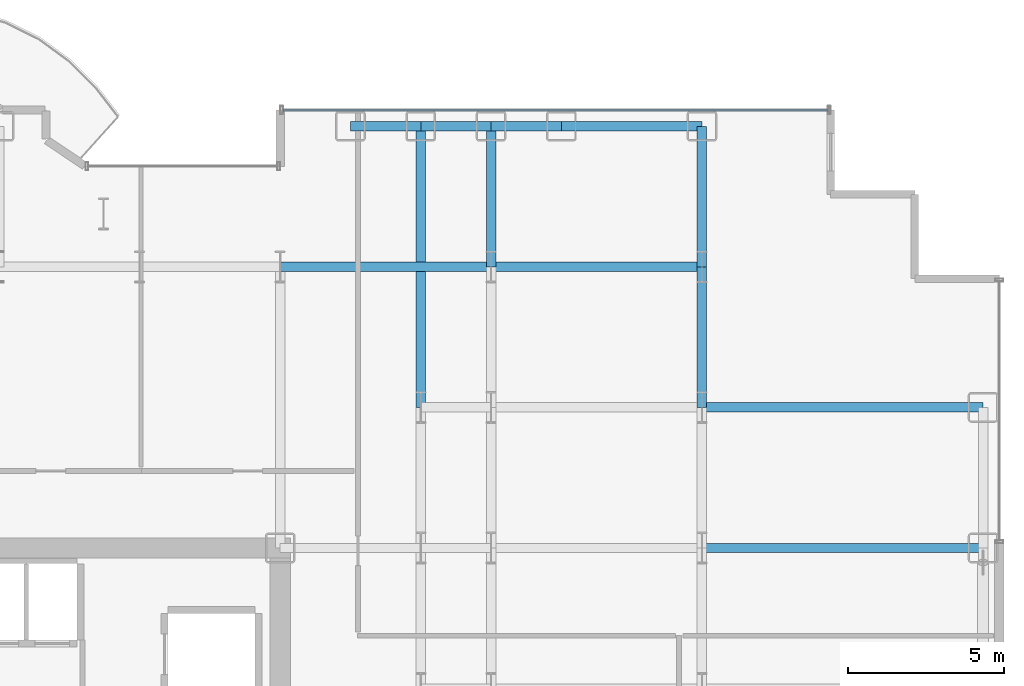
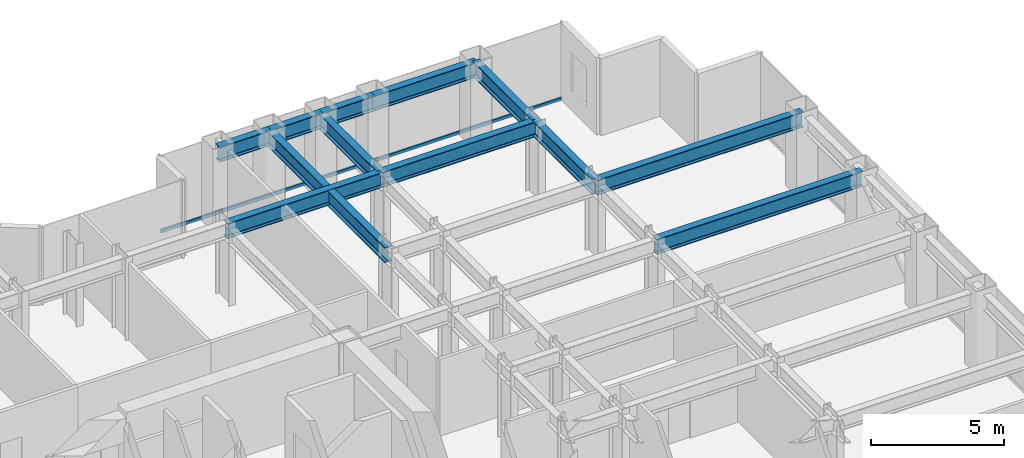
# One storey, part 16 of 29: 12 beams, 1 member, 1 element without a shape of its own.
"""IFC4 building model written with IfcOpenShell, lengths in metres."""

from ifc_helpers import new_model, si_unit, direction, frame, origin, origin_2d, place, context, subcontext, project, spatial, hollow_rectangle, i_section, extrude, source, transform, mapped, material, layer, layer_set, material_profile, profile_set, type_object, element, aggregate, save


model = new_model("IFC4")

# Units and contexts
model_context = context("Model", 3, precision=1e-05, world=origin(), true_north=direction((0.0, 1.0)))
body_context = subcontext(model_context, "Body", "Model", "MODEL_VIEW")
ifc_project = project(units=[si_unit("LENGTHUNIT", "METRE"), si_unit("AREAUNIT", "SQUARE_METRE"), si_unit("VOLUMEUNIT", "CUBIC_METRE"), si_unit("PLANEANGLEUNIT", "RADIAN"), si_unit("MASSUNIT", "GRAM", prefix="KILO")], contexts=[model_context])

# Site, building, storey
site_placement = place(None, origin())
site = spatial("IfcSite", under=ifc_project, at=site_placement, CompositionType="ELEMENT")
building_placement = place(site_placement, origin())
building = spatial("IfcBuilding", under=site, at=building_placement, Name="Nefas-Gora Pilgrimage Tower", CompositionType="ELEMENT")
storey_placement = place(building_placement, frame((0.0, 0.0, 44.39990234375)))
storey = spatial("IfcBuildingStorey", under=building, at=storey_placement, Name="L09", CompositionType="ELEMENT", Elevation=44.39990234375)

# Beams
ifc_material_1 = material(Name="Steel S355", Category="steel")
ifc_material_profile_1 = material_profile(ifc_material_1, i_section(OverallWidth=0.300048828125, OverallDepth=0.699951171875, WebThickness=0.01708984375, FlangeThickness=0.031982421875, FilletRadius=0.027099609375, at=origin_2d()), Name="HEB 700")
ifc_profile_set_1 = profile_set([ifc_material_profile_1], Name="Steel S355")
beam_type_1 = type_object("IfcBeamType", Name="BM-SPN-HEB600", PredefinedType="SPANDREL", material=ifc_profile_set_1)
shared_shape_1 = source(origin(), body_context, "Body", "SweptSolid", [
    extrude(i_section(OverallWidth=0.300048828125, OverallDepth=0.699951171875, WebThickness=0.01708984375, FlangeThickness=0.031982421875, FilletRadius=0.027099609375, at=origin_2d()), origin(), (0.0, 0.0, 1.0), 4.5),
])
beam_placement = place(storey_placement, frame((20.25, 22.5, 3.2001953125), z_axis=(1.0, 0.0, 0.0), x_axis=(0.0, 1.0, 0.0)))
element("IfcBeam", 1, at=beam_placement, inside=storey, type_object=beam_type_1, Name="L09 SP-01 beam", PredefinedType="SPANDREL", context=body_context, shape_type="MappedRepresentation", body=[
    mapped(shared_shape_1, transform((0.0, 0.0, 0.0), x_axis=(1.0, 0.0, 0.0), y_axis=(0.0, 1.0, 0.0), z_axis=(0.0, 0.0, 1.0), scale=1.0)),
])
ifc_material_profile_2 = material_profile(ifc_material_1, i_section(OverallWidth=0.300048828125, OverallDepth=0.699951171875, WebThickness=0.01708984375, FlangeThickness=0.031982421875, FilletRadius=0.027099609375, at=origin_2d()), Name="HEB 700")
ifc_profile_set_2 = profile_set([ifc_material_profile_2], Name="Steel S355")
beam_type_2 = type_object("IfcBeamType", Name="BM-GIR-HEB700", PredefinedType="BEAM", material=ifc_profile_set_2)
shared_shape_2 = source(origin(), body_context, "Body", "SweptSolid", [
    extrude(i_section(OverallWidth=0.300048828125, OverallDepth=0.699951171875, WebThickness=0.01708984375, FlangeThickness=0.031982421875, FilletRadius=0.027099609375, at=origin_2d()), origin(), (0.0, 0.0, 1.0), 9.0),
])
for number, where, z_axis, x_axis, name in (
    (2, (15.75, 13.5, 3.2001953125), (0.0, 1.0, 0.0), (-1.0, 0.0, 0.0), "L09 G-02 beam"),
    (3, (24.75, 9.0, 3.2001953125), (1.0, 0.0, 0.0), (0.0, 1.0, 0.0), "L09 G-02 beam"),
    (4, (24.75, 13.5, 3.2001953125), (1.0, 0.0, 0.0), (0.0, 1.0, 0.0), "L09 G-02 beam"),
):
    element("IfcBeam", number, at=place(storey_placement, frame(where, z_axis=z_axis, x_axis=x_axis)), inside=storey, type_object=beam_type_2, Name=name, PredefinedType="BEAM", context=body_context, shape_type="MappedRepresentation", body=[
        mapped(shared_shape_2, transform((0.0, 0.0, 0.0), x_axis=(1.0, 0.0, 0.0), y_axis=(0.0, 1.0, 0.0), z_axis=(0.0, 0.0, 1.0), scale=1.0)),
    ])
shared_shape_3 = source(origin(), body_context, "Body", "SweptSolid", [
    extrude(i_section(OverallWidth=0.300048828125, OverallDepth=0.699951171875, WebThickness=0.01708984375, FlangeThickness=0.031982421875, FilletRadius=0.027099609375, at=origin_2d()), origin(), (0.0, 0.0, 1.0), 4.5),
])
for number, where, z_axis, x_axis, name in (
    (5, (18.0, 18.0, 3.2001953125), (0.0, 1.0, 0.0), (-1.0, 0.0, 0.0), "L09 G-02 beam"),
    (6, (24.75, 13.5, 3.2001953125), (0.0, 1.0, 0.0), (-1.0, 0.0, 0.0), "L09 G-02 beam"),
    (7, (24.75, 18.0, 3.2001953125), (0.0, 1.0, 0.0), (-1.0, 0.0, 0.0), "L09 G-02 beam"),
):
    element("IfcBeam", number, at=place(storey_placement, frame(where, z_axis=z_axis, x_axis=x_axis)), inside=storey, type_object=beam_type_2, Name=name, PredefinedType="BEAM", context=body_context, shape_type="MappedRepresentation", body=[
        mapped(shared_shape_3, transform((0.0, 0.0, 0.0), x_axis=(1.0, 0.0, 0.0), y_axis=(0.0, 1.0, 0.0), z_axis=(0.0, 0.0, 1.0), scale=1.0)),
    ])
shared_shape_4 = source(origin(), body_context, "Body", "SweptSolid", [
    extrude(i_section(OverallWidth=0.300048828125, OverallDepth=0.699951171875, WebThickness=0.01708984375, FlangeThickness=0.031982421875, FilletRadius=0.027099609375, at=origin_2d()), origin(), (0.0, 0.0, 1.0), 6.75),
])
for number, where, z_axis, x_axis, name in (
    (8, (11.25, 18.0, 3.2001953125), (1.0, 0.0, 0.0), (0.0, 1.0, 0.0), "L09 G-02 beam"),
    (9, (18.0, 18.0, 3.2001953125), (1.0, 0.0, 0.0), (0.0, 1.0, 0.0), "L09 G-02 beam"),
):
    element("IfcBeam", number, at=place(storey_placement, frame(where, z_axis=z_axis, x_axis=x_axis)), inside=storey, type_object=beam_type_2, Name=name, PredefinedType="BEAM", context=body_context, shape_type="MappedRepresentation", body=[
        mapped(shared_shape_4, transform((0.0, 0.0, 0.0), x_axis=(1.0, 0.0, 0.0), y_axis=(0.0, 1.0, 0.0), z_axis=(0.0, 0.0, 1.0), scale=1.0)),
    ])
shared_shape_5 = source(origin(), body_context, "Body", "SweptSolid", [
    extrude(i_section(OverallWidth=0.300048828125, OverallDepth=0.699951171875, WebThickness=0.01708984375, FlangeThickness=0.031982421875, FilletRadius=0.027099609375, at=origin_2d()), origin(), (0.0, 0.0, 1.0), 2.25),
])
for number, where, z_axis, x_axis, name in (
    (10, (13.5, 22.5, 3.2001953125), (1.0, 0.0, 0.0), (0.0, 1.0, 0.0), "L09 SP-01 beam"),
    (11, (15.75, 22.5, 3.2001953125), (1.0, 0.0, 0.0), (0.0, 1.0, 0.0), "L09 SP-01 beam"),
    (12, (18.0, 22.5, 3.2001953125), (1.0, 0.0, 0.0), (0.0, 1.0, 0.0), "L09 SP-01 beam"),
):
    element("IfcBeam", number, at=place(storey_placement, frame(where, z_axis=z_axis, x_axis=x_axis)), inside=storey, type_object=beam_type_1, Name=name, PredefinedType="SPANDREL", context=body_context, shape_type="MappedRepresentation", body=[
        mapped(shared_shape_5, transform((0.0, 0.0, 0.0), x_axis=(1.0, 0.0, 0.0), y_axis=(0.0, 1.0, 0.0), z_axis=(0.0, 0.0, 1.0), scale=1.0)),
    ])

# Curtain wall, member
ifc_material_2 = material(Name="Dark ceramic-fritted solar-control aluminium-glass curtain wall", Category="aluminium")
ifc_layer = layer(ifc_material_2, 0.219970703125)
ifc_layer_set = layer_set([ifc_layer], Name="Dark ceramic-fritted solar-control aluminium-glass curtain wall")
curtain_wall_type = type_object("IfcCurtainWallType", Name="CW-SYS-2", PredefinedType="NOTDEFINED", material=ifc_layer_set)
curtain_wall_placement = place(storey_placement, origin())
curtain_wall = element("IfcCurtainWall", 13, at=curtain_wall_placement, inside=storey, type_object=curtain_wall_type, Name="L09 Unitised Curtain Wall CW2", PredefinedType="NOTDEFINED")
ifc_material_3 = material(Name="Anodised architectural aluminium", Category="aluminium")
ifc_material_profile_3 = material_profile(ifc_material_3, hollow_rectangle(XDim=0.080078125, YDim=0.159912109375, WallThickness=0.00439453125, InnerFilletRadius=0.00439453125, OuterFilletRadius=0.009033203125, at=origin_2d()), Name="ALU TRANSOM 80x160")
ifc_profile_set_3 = profile_set([ifc_material_profile_3], Name="Anodised architectural aluminium")
member_type = type_object("IfcMemberType", Name="CWM-TRN-2", PredefinedType="USERDEFINED", material=ifc_profile_set_3)
shared_shape_6 = source(origin(), body_context, "Body", "SweptSolid", [
    extrude(hollow_rectangle(XDim=0.080078125, YDim=0.159912109375, WallThickness=0.00439453125, InnerFilletRadius=0.00439453125, OuterFilletRadius=0.009033203125, at=origin_2d()), origin(), (0.0, 0.0, 1.0), 17.43994140625),
])
member_placement = place(storey_placement, frame((28.780029296875, 23.02001953125, 0.050048828125), z_axis=(-1.0, 0.0, 0.0), x_axis=(0.0, -1.0, 0.0)))
member = element("IfcMember", 14, at=member_placement, type_object=member_type, Name="CW2 Spandrel Transom", ObjectType="TRANSOM", PredefinedType="USERDEFINED", context=body_context, shape_type="MappedRepresentation", body=[
    mapped(shared_shape_6, transform((0.0, 0.0, 0.0), x_axis=(1.0, 0.0, 0.0), y_axis=(0.0, 1.0, 0.0), z_axis=(0.0, 0.0, 1.0), scale=1.0)),
])
aggregate(curtain_wall, [member])

save(model, "model.ifc")
